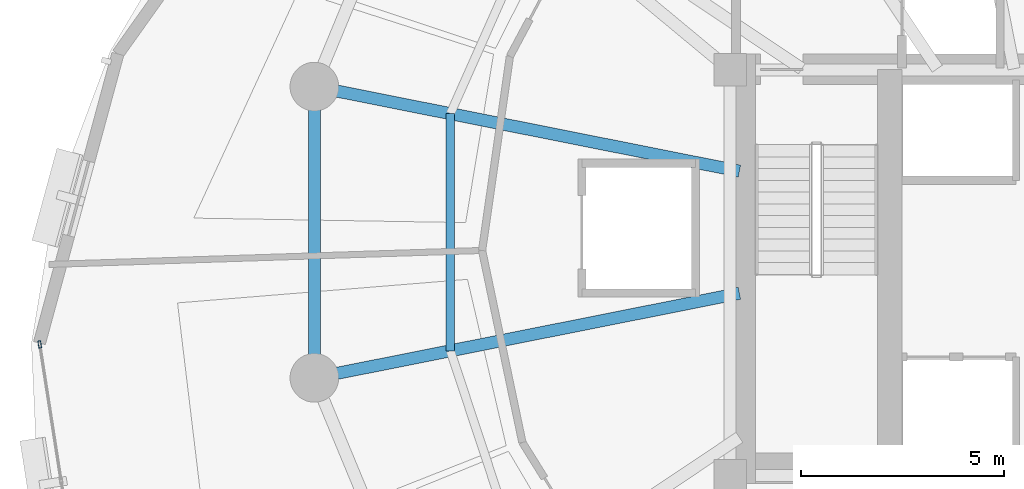
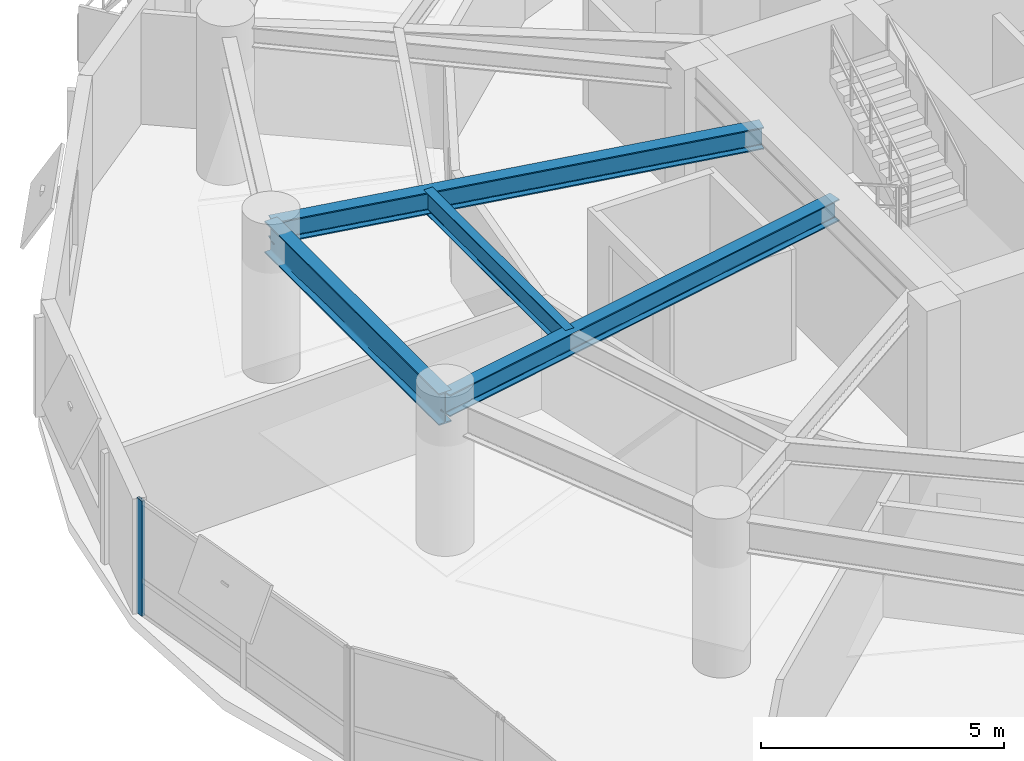
# One storey, part 4 of 14: 4 beams, 1 member, 1 element without a shape of its own.
"""IFC4 building model written with IfcOpenShell, lengths in metres."""

from ifc_helpers import new_model, si_unit, direction, frame, origin, origin_2d, place, context, subcontext, project, spatial, hollow_rectangle, i_section, extrude, material, layer, layer_set, material_profile, profile_set, type_object, element, aggregate, save


model = new_model("IFC4")

# Units and contexts
model_context = context("Model", 3, precision=1e-05, world=origin(), true_north=direction((0.0, 1.0)))
body_context = subcontext(model_context, "Body", "Model", "MODEL_VIEW")
ifc_project = project(units=[si_unit("LENGTHUNIT", "METRE"), si_unit("AREAUNIT", "SQUARE_METRE"), si_unit("VOLUMEUNIT", "CUBIC_METRE"), si_unit("PLANEANGLEUNIT", "RADIAN"), si_unit("MASSUNIT", "GRAM", prefix="KILO"), si_unit("THERMODYNAMICTEMPERATUREUNIT", "KELVIN"), si_unit("POWERUNIT", "WATT")], contexts=[model_context])

# Site, building, storey
site_placement = place(None, origin())
site = spatial("IfcSite", under=ifc_project, at=site_placement, CompositionType="ELEMENT")
building_placement = place(site_placement, origin())
building = spatial("IfcBuilding", under=site, at=building_placement, Name="Ocrelia Relay Tower", CompositionType="ELEMENT")
storey_placement = place(building_placement, frame((0.0, 0.0, 125.800048828125)))
storey = spatial("IfcBuildingStorey", under=building, at=storey_placement, Name="L29", CompositionType="ELEMENT", Elevation=125.800048828125)

# Beams
ifc_material_1 = material(Name="Steel S355", Category="steel")
ifc_material_profile_1 = material_profile(ifc_material_1, i_section(OverallWidth=0.300048828125, OverallDepth=0.550048828125, WebThickness=0.014892578125, FlangeThickness=0.029052734375, FilletRadius=0.027099609375, at=origin_2d()), Name="HEB 550")
ifc_profile_set_1 = profile_set([ifc_material_profile_1], Name="Steel S355")
beam_type_1 = type_object("IfcBeamType", Name="BM-HEB550", PredefinedType="BEAM", material=ifc_profile_set_1)
for number, where, z_axis, x_axis, name in (
    (1, (15.95361328125, 29.589599609375, 3.445068359375), (0.980787592082, -0.195078700063, 0.0), (0.195078700063, 0.980787592082, 0.0), "L29 Radial Floor Girder R08"),
    (2, (15.95361328125, 22.410400390625, 3.445068359375), (0.980787592082, 0.195078700063, 0.0), (-0.195078700063, 0.980787592082, 0.0), "L29 Radial Floor Girder R09"),
):
    element("IfcBeam", number, at=place(storey_placement, frame(where, z_axis=z_axis, x_axis=x_axis)), inside=storey, type_object=beam_type_1, Name=name, PredefinedType="BEAM", context=body_context, shape_type="SweptSolid", body=[
        extrude(i_section(OverallWidth=0.300048828125, OverallDepth=0.550048828125, WebThickness=0.014892578125, FlangeThickness=0.029052734375, FilletRadius=0.027099609375, at=origin_2d()), origin(), (0.0, 0.0, 1.0), 10.681640625),
    ])
ifc_material_profile_2 = material_profile(ifc_material_1, i_section(OverallWidth=0.300048828125, OverallDepth=0.800048828125, WebThickness=0.017578125, FlangeThickness=0.032958984375, FilletRadius=0.030029296875, at=origin_2d()), Name="HEB 800")
ifc_profile_set_2 = profile_set([ifc_material_profile_2], Name="Steel S355")
beam_type_2 = type_object("IfcBeamType", Name="BM-HEB800", PredefinedType="BEAM", material=ifc_profile_set_2)
beam_1_placement = place(storey_placement, frame((15.95361328125, 29.589599609375, 3.320068359375), z_axis=(0.0, -1.0, 0.0), x_axis=(1.0, 0.0, 0.0)))
element("IfcBeam", 3, at=beam_1_placement, inside=storey, type_object=beam_type_2, Name="L29 Perimeter Spandrel Beam S08", PredefinedType="BEAM", context=body_context, shape_type="SweptSolid", body=[
    extrude(i_section(OverallWidth=0.300048828125, OverallDepth=0.800048828125, WebThickness=0.017578125, FlangeThickness=0.032958984375, FilletRadius=0.030029296875, at=origin_2d()), origin(), (0.0, 0.0, 1.0), 7.17919921875),
])
ifc_material_profile_3 = material_profile(ifc_material_1, i_section(OverallWidth=0.2099609375, OverallDepth=0.550048828125, WebThickness=0.010986328125, FlangeThickness=0.01708984375, FilletRadius=0.02392578125, at=origin_2d()), Name="IPE 550")
ifc_profile_set_3 = profile_set([ifc_material_profile_3], Name="Steel S355")
beam_type_3 = type_object("IfcBeamType", Name="BM-IPE550", PredefinedType="JOIST", material=ifc_profile_set_3)
beam_2_placement = place(storey_placement, frame((19.305908203125, 28.9228515625, 3.445068359375), z_axis=(0.0, -1.0, 0.0), x_axis=(1.0, 0.0, 0.0)))
element("IfcBeam", 4, at=beam_2_placement, inside=storey, type_object=beam_type_3, Name="L29 Secondary Floor Joist J08", PredefinedType="JOIST", context=body_context, shape_type="SweptSolid", body=[
    extrude(i_section(OverallWidth=0.2099609375, OverallDepth=0.550048828125, WebThickness=0.010986328125, FlangeThickness=0.01708984375, FilletRadius=0.02392578125, at=origin_2d()), origin(), (0.0, 0.0, 1.0), 5.845703125),
])

# Curtain wall, member
ifc_material_2 = material(Name="Aluminium and solar-control low-E glass", Category="aluminium")
ifc_layer = layer(ifc_material_2, 0.179931640625, Name="Aluminium and solar-control low-E glass")
ifc_layer_set = layer_set([ifc_layer], Name="Aluminium and solar-control low-E glass")
curtain_wall_type = type_object("IfcCurtainWallType", Name="CW-SYS-Z2-SWIT", PredefinedType="NOTDEFINED", material=ifc_layer_set)
curtain_wall_placement = place(storey_placement, origin())
curtain_wall = element("IfcCurtainWall", 5, at=curtain_wall_placement, inside=storey, type_object=curtain_wall_type, Name="L29 Elliptical Tower Curtain Wall Bay 09", PredefinedType="NOTDEFINED")
ifc_material_3 = material(Name="Anodised bronze aluminium", Category="aluminium")
ifc_material_profile_4 = material_profile(ifc_material_3, hollow_rectangle(XDim=0.070068359375, YDim=0.179931640625, WallThickness=0.006103515625, at=origin_2d()), Name="CW-MUL-180x70")
ifc_profile_set_4 = profile_set([ifc_material_profile_4], Name="Anodised bronze aluminium")
member_type = type_object("IfcMemberType", Name="CW-SYS-Z2-SWIT-MUL", PredefinedType="MULLION", material=ifc_profile_set_4)
member_placement = place(storey_placement, frame((9.1826171875, 23.234375, 0.0), z_axis=(0.0, 0.0, 1.0), x_axis=(0.988011687309, 0.154379097489, 0.0)))
member = element("IfcMember", 6, at=member_placement, type_object=member_type, Name="CW-Z2 mullion 1", PredefinedType="MULLION", context=body_context, shape_type="SweptSolid", body=[
    extrude(hollow_rectangle(XDim=0.070068359375, YDim=0.179931640625, WallThickness=0.006103515625, at=origin_2d()), origin(), (0.0, 0.0, 1.0), 2.89990234375),
])
aggregate(curtain_wall, [member])

save(model, "model.ifc")
